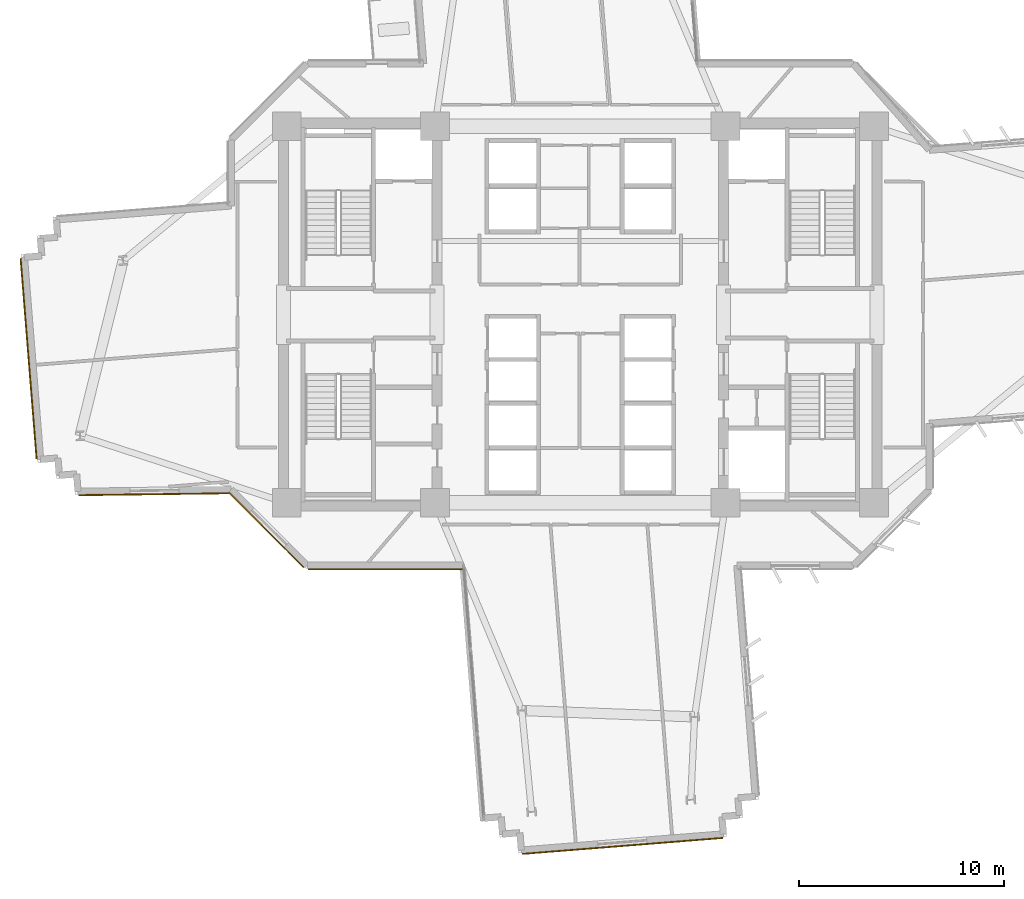
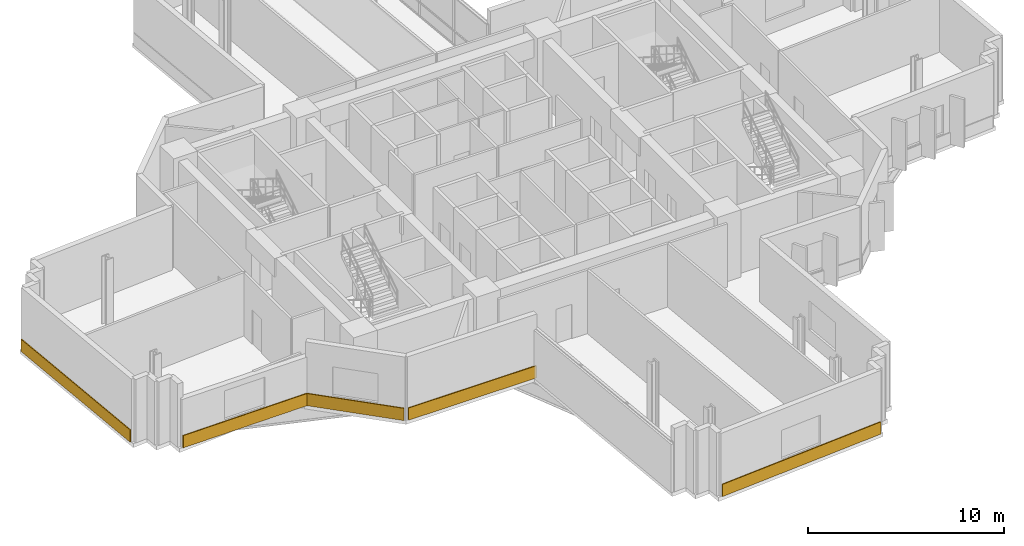
# One storey, part 11 of 15: 5 coverings.
"""IFC4 building model written with IfcOpenShell, lengths in metres."""

from ifc_helpers import new_model, si_unit, direction, frame, origin, origin_2d, place, context, subcontext, project, spatial, rectangle, extrude, source, transform, mapped, material, layer, layer_set, type_object, element, save


model = new_model("IFC4")

# Units and contexts
model_context = context("Model", 3, precision=1e-05, world=origin(), true_north=direction((0.0, 1.0)))
body_context = subcontext(model_context, "Body", "Model", "MODEL_VIEW")
ifc_project = project(units=[si_unit("LENGTHUNIT", "METRE"), si_unit("AREAUNIT", "SQUARE_METRE"), si_unit("VOLUMEUNIT", "CUBIC_METRE"), si_unit("PLANEANGLEUNIT", "RADIAN"), si_unit("MASSUNIT", "GRAM", prefix="KILO")], contexts=[model_context])

# Site, building, storey
site_placement = place(None, origin())
site = spatial("IfcSite", under=ifc_project, at=site_placement, CompositionType="ELEMENT")
building_placement = place(site_placement, origin())
building = spatial("IfcBuilding", under=site, at=building_placement, Name="Zahravan Cultural Tower", CompositionType="ELEMENT")
storey_placement = place(building_placement, frame((0.0, 0.0, 83.699951171875)))
storey = spatial("IfcBuildingStorey", under=building, at=storey_placement, Name="L18", CompositionType="ELEMENT", Elevation=83.699951171875)

# Coverings
ifc_material = material(Name="Terracotta ceramic cladding", Category="masonry")
ifc_layer = layer(ifc_material, 0.06005859375)
ifc_layer_set = layer_set([ifc_layer], Name="Terracotta ceramic cladding")
covering_type = type_object("IfcCoveringType", Name="COV-CLAD-TC60", PredefinedType="CLADDING", material=ifc_layer_set)
shared_shape_1 = source(origin(), body_context, "Body", "SweptSolid", [
    extrude(rectangle(XDim=9.820068359375, YDim=0.06005859375, at=origin_2d()), origin(), (0.0, 0.0, 1.0), 0.760009765625),
])
for number, where, z_axis, x_axis, name in (
    (1, (38.070556640625, 1.037353515625, 0.02001953125), (0.0, 0.0, 1.0), (-0.996834624954, -0.079503021908, 0.0), "L18 Terracotta Spandrel Cladding 20"),
    (2, (9.04052734375, 24.849853515625, 0.02001953125), (0.0, 0.0, 1.0), (-0.079503021908, 0.996834624954, 0.0), "L18 Terracotta Spandrel Cladding 32"),
):
    element("IfcCovering", number, at=place(storey_placement, frame(where, z_axis=z_axis, x_axis=x_axis)), inside=storey, type_object=covering_type, Name=name, PredefinedType="CLADDING", context=body_context, shape_type="MappedRepresentation", body=[
        mapped(shared_shape_1, transform((0.0, 0.0, 0.0), x_axis=(1.0, 0.0, 0.0), y_axis=(0.0, 1.0, 0.0), z_axis=(0.0, 0.0, 1.0), scale=1.0)),
    ])
shared_shape_2 = source(origin(), body_context, "Body", "SweptSolid", [
    extrude(rectangle(XDim=5.157958984375, YDim=0.06005859375, at=origin_2d()), origin(), (0.0, 0.0, 1.0), 0.760009765625),
])
covering_1_placement = place(storey_placement, frame((20.668212890625, 16.46826171875, 0.02001953125), z_axis=(0.0, 0.0, 1.0), x_axis=(-0.707106781187, 0.707106781187, 0.0)))
element("IfcCovering", 3, at=covering_1_placement, inside=storey, type_object=covering_type, Name="L18 Terracotta Spandrel Cladding 26", PredefinedType="CLADDING", context=body_context, shape_type="MappedRepresentation", body=[
    mapped(shared_shape_2, transform((0.0, 0.0, 0.0), x_axis=(1.0, 0.0, 0.0), y_axis=(0.0, 1.0, 0.0), z_axis=(0.0, 0.0, 1.0), scale=1.0)),
])
shared_shape_3 = source(origin(), body_context, "Body", "SweptSolid", [
    extrude(rectangle(XDim=7.53857421875, YDim=0.06005859375, at=origin_2d()), origin(), (0.0, 0.0, 1.0), 0.760009765625),
])
covering_2_placement = place(storey_placement, frame((26.477294921875, 14.554931640625, 0.02001953125), z_axis=(0.0, 0.0, 1.0), x_axis=(-1.0, 0.0, 0.0)))
element("IfcCovering", 4, at=covering_2_placement, inside=storey, type_object=covering_type, Name="L18 Terracotta Spandrel Cladding 25", PredefinedType="CLADDING", context=body_context, shape_type="MappedRepresentation", body=[
    mapped(shared_shape_3, transform((0.0, 0.0, 0.0), x_axis=(1.0, 0.0, 0.0), y_axis=(0.0, 1.0, 0.0), z_axis=(0.0, 0.0, 1.0), scale=1.0)),
])
shared_shape_4 = source(origin(), body_context, "Body", "SweptSolid", [
    extrude(rectangle(XDim=7.3916015625, YDim=0.06005859375, at=origin_2d()), origin(), (0.0, 0.0, 1.0), 0.760009765625),
])
covering_3_placement = place(storey_placement, frame((15.197021484375, 18.224365234375, 0.02001953125), z_axis=(0.0, 0.0, 1.0), x_axis=(-0.999915919307, -0.012967432893, 0.0)))
element("IfcCovering", 5, at=covering_3_placement, inside=storey, type_object=covering_type, Name="L18 Terracotta Spandrel Cladding 27", PredefinedType="CLADDING", context=body_context, shape_type="MappedRepresentation", body=[
    mapped(shared_shape_4, transform((0.0, 0.0, 0.0), x_axis=(1.0, 0.0, 0.0), y_axis=(0.0, 1.0, 0.0), z_axis=(0.0, 0.0, 1.0), scale=1.0)),
])

save(model, "model.ifc")
